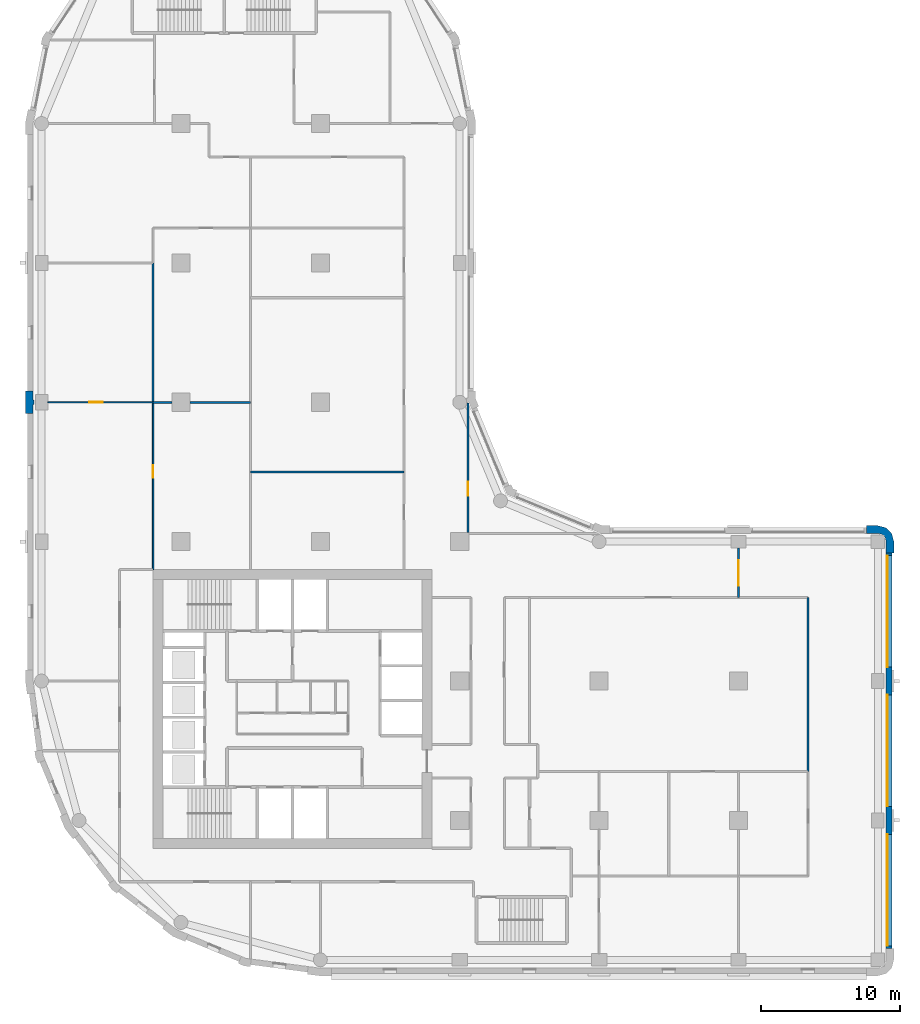
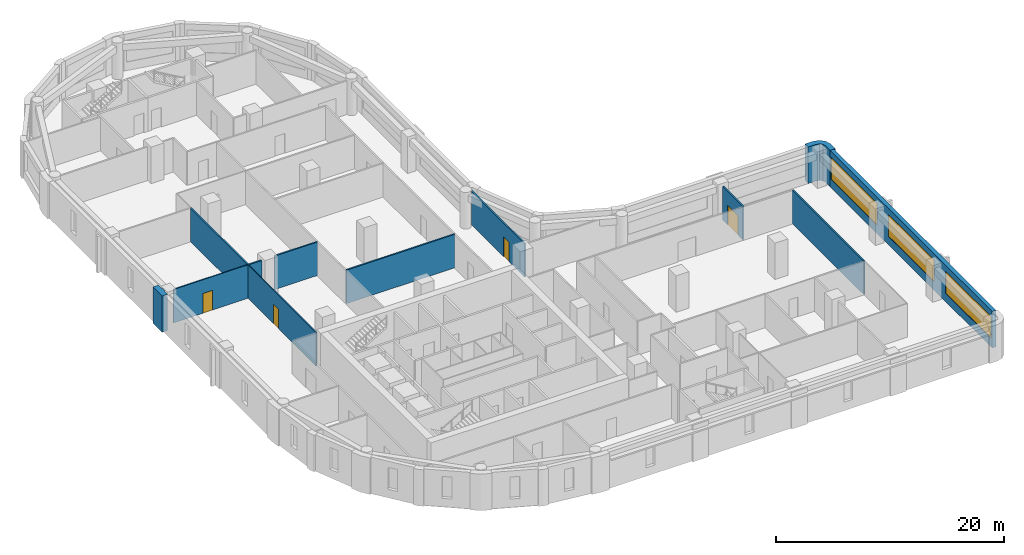
# One storey, part 5 of 10: 12 walls, 4 doors, 3 windows, 7 openings.
"""IFC4 building model written with IfcOpenShell, lengths in metres."""

from ifc_helpers import new_model, si_unit, direction, frame, frame_2d, origin, place, context, subcontext, project, spatial, polyline, rectangle, outline, extrude, material, layer, layer_set, type_object, element, fill, save


model = new_model("IFC4")

# Units and contexts
model_context = context("Model", 3, precision=1e-05, world=origin(), true_north=direction((0.0, 1.0)))
body_context = subcontext(model_context, "Body", "Model", "MODEL_VIEW")
ifc_project = project(units=[si_unit("LENGTHUNIT", "METRE"), si_unit("AREAUNIT", "SQUARE_METRE"), si_unit("VOLUMEUNIT", "CUBIC_METRE"), si_unit("PLANEANGLEUNIT", "RADIAN"), si_unit("MASSUNIT", "GRAM", prefix="KILO")], contexts=[model_context])

# Site, building, storey
site_placement = place(None, origin())
site = spatial("IfcSite", under=ifc_project, at=site_placement, CompositionType="ELEMENT")
building_placement = place(site_placement, origin())
building = spatial("IfcBuilding", under=site, at=building_placement, Name="Qaws Garden Tower", CompositionType="ELEMENT")
storey_placement = place(building_placement, frame((0.0, 0.0, 205.800048828125)))
storey = spatial("IfcBuildingStorey", under=building, at=storey_placement, Name="L50", CompositionType="ELEMENT", Elevation=205.800048828125)

# Wall
ifc_material_1 = material(Name="Buff clay facing brick masonry", Category="masonry")
ifc_layer_1 = layer(ifc_material_1, 0.550048828125)
ifc_layer_set_1 = layer_set([ifc_layer_1], Name="Buff clay facing brick masonry")
wall_type_1 = type_object("IfcWallType", Name="Buff brick corner pier 550 x 2400", PredefinedType="SOLIDWALL", material=ifc_layer_set_1)
placement = place(storey_placement, origin())
element("IfcWall", 1, at=placement, inside=storey, type_object=wall_type_1, Name="E-L50-pier-07", PredefinedType="SOLIDWALL", context=body_context, shape_type="SweptSolid", body=[
    extrude(outline(polyline([(61.0, 29.199951171875), (61.14990234375, 29.199951171875), (61.14990234375, 30.0), (60.995849609375, 30.574951171875), (60.574951171875, 30.995849609375), (60.0, 31.14990234375), (59.199951171875, 31.14990234375), (59.199951171875, 31.0), (59.199951171875, 30.60009765625), (60.0, 30.60009765625), (60.300048828125, 30.51953125), (60.51953125, 30.300048828125), (60.60009765625, 30.0), (60.60009765625, 29.199951171875), (61.0, 29.199951171875)])), origin(), (0.0, 0.0, 1.0), 3.89990234375),
])

# Wall, openings, windows
ifc_material_2 = material(Name="Buff clay facing brick masonry", Category="masonry")
ifc_layer_2 = layer(ifc_material_2, 0.39990234375)
ifc_layer_set_2 = layer_set([ifc_layer_2], Name="Buff clay facing brick masonry")
wall_type_2 = type_object("IfcWallType", Name="Buff brick infill wall 400", PredefinedType="SOLIDWALL", material=ifc_layer_set_2)
wall_2_placement = place(storey_placement, frame((60.800048828125, 0.800048828125, 0.0), z_axis=(0.0, 0.0, 1.0), x_axis=(0.0, 1.0, 0.0)))
wall_2 = element("IfcWall", 2, at=wall_2_placement, inside=storey, type_object=wall_type_2, Name="E-L50-infill-04", PredefinedType="SOLIDWALL", context=body_context, shape_type="SweptSolid", body=[
    extrude(rectangle(XDim=28.39990234375, YDim=0.39990234375, at=frame_2d((14.199951171875, 0.0))), origin(), (0.0, 0.0, 1.0), 3.89990234375),
])
opening_1_placement = place(wall_2_placement, frame((0.199951171875, 0.0, 0.89990234375)))
opening_1 = element("IfcOpeningElement", 3, at=opening_1_placement, cuts=wall_2, Name="Opening W01", PredefinedType="OPENING", context=body_context, shape_type="SweptSolid", body=[
    extrude(rectangle(XDim=8.0, YDim=2.35009765625, at=frame_2d((4.0, 1.175048828125))), frame((0.0, 0.2099609375, 0.0), z_axis=(0.0, -1.0, 0.0), x_axis=(1.0, 0.0, 0.0)), (0.0, 0.0, 1.0), 0.419921875),
])
opening_2_placement = place(wall_2_placement, frame((10.199951171875, 0.0, 0.89990234375)))
opening_2 = element("IfcOpeningElement", 4, at=opening_2_placement, cuts=wall_2, Name="Opening W01", PredefinedType="OPENING", context=body_context, shape_type="SweptSolid", body=[
    extrude(rectangle(XDim=8.0, YDim=2.35009765625, at=frame_2d((4.0, 1.175048828125))), frame((0.0, 0.2099609375, 0.0), z_axis=(0.0, -1.0, 0.0), x_axis=(1.0, 0.0, 0.0)), (0.0, 0.0, 1.0), 0.419921875),
])
opening_3_placement = place(wall_2_placement, frame((20.199951171875, 0.0, 0.89990234375)))
opening_3 = element("IfcOpeningElement", 5, at=opening_3_placement, cuts=wall_2, Name="Opening W01", PredefinedType="OPENING", context=body_context, shape_type="SweptSolid", body=[
    extrude(rectangle(XDim=8.0, YDim=2.35009765625, at=frame_2d((4.0, 1.175048828125))), frame((0.0, 0.2099609375, 0.0), z_axis=(0.0, -1.0, 0.0), x_axis=(1.0, 0.0, 0.0)), (0.0, 0.0, 1.0), 0.419921875),
])
ifc_material_3 = material(Name="Aluminium framed window, clear glazing", Category="aluminium")
window_type = type_object("IfcWindowType", Name="Ribbon window 8000 x 2350", PartitioningType="DOUBLE_PANEL_VERTICAL", PredefinedType="WINDOW", material=ifc_material_3)
window_1_placement = place(opening_1_placement, origin())
window_1 = element("IfcWindow", 6, at=window_1_placement, inside=storey, type_object=window_type, Name="E-L50-window-04-0", OverallHeight=2.35009765625, OverallWidth=8.0, PartitioningType="SINGLE_PANEL", PredefinedType="WINDOW", context=body_context, shape_type="SweptSolid", body=[
    extrude(rectangle(XDim=8.0, YDim=2.35009765625, at=frame_2d((4.0, 1.175048828125))), frame((0.0, 0.159912109375, 0.0), z_axis=(0.0, -1.0, 0.0), x_axis=(1.0, 0.0, 0.0)), (0.0, 0.0, 1.0), 0.06005859375),
])
fill(opening_1, window_1)
window_2_placement = place(opening_2_placement, origin())
window_2 = element("IfcWindow", 7, at=window_2_placement, inside=storey, type_object=window_type, Name="E-L50-window-05-0", OverallHeight=2.35009765625, OverallWidth=8.0, PartitioningType="SINGLE_PANEL", PredefinedType="WINDOW", context=body_context, shape_type="SweptSolid", body=[
    extrude(rectangle(XDim=8.0, YDim=2.35009765625, at=frame_2d((4.0, 1.175048828125))), frame((0.0, 0.159912109375, 0.0), z_axis=(0.0, -1.0, 0.0), x_axis=(1.0, 0.0, 0.0)), (0.0, 0.0, 1.0), 0.06005859375),
])
fill(opening_2, window_2)
window_3_placement = place(opening_3_placement, origin())
window_3 = element("IfcWindow", 8, at=window_3_placement, inside=storey, type_object=window_type, Name="E-L50-window-06-0", OverallHeight=2.35009765625, OverallWidth=8.0, PartitioningType="SINGLE_PANEL", PredefinedType="WINDOW", context=body_context, shape_type="SweptSolid", body=[
    extrude(rectangle(XDim=8.0, YDim=2.35009765625, at=frame_2d((4.0, 1.175048828125))), frame((0.0, 0.159912109375, 0.0), z_axis=(0.0, -1.0, 0.0), x_axis=(1.0, 0.0, 0.0)), (0.0, 0.0, 1.0), 0.06005859375),
])
fill(opening_3, window_3)

# Wall
ifc_material_4 = material(Name="Buff clay facing brick masonry", Category="masonry")
ifc_layer_3 = layer(ifc_material_4, 0.550048828125)
ifc_layer_set_3 = layer_set([ifc_layer_3], Name="Buff clay facing brick masonry")
wall_type_3 = type_object("IfcWallType", Name="Buff brick pier 550 x 1600", PredefinedType="SOLIDWALL", material=ifc_layer_set_3)
element("IfcWall", 9, at=placement, inside=storey, type_object=wall_type_3, Name="E-L50-pier-23", PredefinedType="SOLIDWALL", context=body_context, shape_type="SweptSolid", body=[
    extrude(outline(polyline([(-0.60009765625, 39.199951171875), (-0.60009765625, 39.85009765625), (-0.550048828125, 39.85009765625), (-0.550048828125, 40.14990234375), (-0.60009765625, 40.14990234375), (-0.60009765625, 40.800048828125), (-1.0, 40.800048828125), (-1.14990234375, 40.800048828125), (-1.14990234375, 40.0), (-1.14990234375, 39.199951171875), (-1.0, 39.199951171875), (-0.60009765625, 39.199951171875)])), origin(), (0.0, 0.0, 1.0), 3.89990234375),
])

# Wall, opening, door
ifc_material_5 = material(Name="Gypsum board partition")
ifc_layer_4 = layer(ifc_material_5, 0.10009765625)
ifc_layer_set_4 = layer_set([ifc_layer_4], Name="Gypsum board partition")
wall_type_4 = type_object("IfcWallType", Name="PARTITION 100", PredefinedType="PARTITIONING", material=ifc_layer_set_4)
wall_4_placement = place(storey_placement, frame((8.0, 28.0, 0.0), z_axis=(0.0, 0.0, 1.0), x_axis=(0.0, 1.0, 0.0)))
wall_4 = element("IfcWall", 10, at=wall_4_placement, inside=storey, type_object=wall_type_4, Name="O-L50-wall-001", PredefinedType="PARTITIONING", context=body_context, shape_type="SweptSolid", body=[
    extrude(rectangle(XDim=12.0, YDim=0.10009765625, at=frame_2d((6.0, 0.0))), origin(), (0.0, 0.0, 1.0), 3.579833984375),
])
opening_4_placement = place(wall_4_placement, frame((6.60009765625, 0.0, 0.0)))
opening_4 = element("IfcOpeningElement", 11, at=opening_4_placement, cuts=wall_4, Name="Opening B726", PredefinedType="OPENING", context=body_context, shape_type="SweptSolid", body=[
    extrude(rectangle(XDim=0.89990234375, YDim=2.10009765625, at=frame_2d((0.449951171875, 1.050048828125))), frame((0.0, 0.06005859375, 0.0), z_axis=(0.0, -1.0, 0.0), x_axis=(1.0, 0.0, 0.0)), (0.0, 0.0, 1.0), 0.1201171875),
])
ifc_material_6 = material(Name="Timber door leaf", Category="wood")
door_type_1 = type_object("IfcDoorType", Name="OFFICE DOOR 900 X 2100", OperationType="SINGLE_SWING_LEFT", PredefinedType="DOOR", material=ifc_material_6)
door_1_placement = place(opening_4_placement, frame((0.89990234375, 0.0, 0.0), z_axis=(0.0, 0.0, 1.0), x_axis=(-1.0, 0.0, 0.0)))
door_1 = element("IfcDoor", 12, at=door_1_placement, inside=storey, type_object=door_type_1, Name="O-L50-door-026", OperationType="SINGLE_SWING_RIGHT", OverallHeight=2.10009765625, OverallWidth=0.89990234375, PredefinedType="DOOR", context=body_context, shape_type="SweptSolid", body=[
    extrude(rectangle(XDim=0.89990234375, YDim=2.10009765625, at=frame_2d((0.449951171875, 1.050048828125))), frame((0.0, 0.02490234375, 0.0), z_axis=(0.0, -1.0, 0.0), x_axis=(1.0, 0.0, 0.0)), (0.0, 0.0, 1.0), 0.050048828125),
])
fill(opening_4, door_1)

wall_5_placement = place(storey_placement, frame((0.449951171875, 40.0, 0.0), z_axis=(0.0, 0.0, 1.0), x_axis=(1.0, 0.0, 0.0)))
wall_5 = element("IfcWall", 13, at=wall_5_placement, inside=storey, type_object=wall_type_4, Name="O-L50-wall-008", PredefinedType="PARTITIONING", context=body_context, shape_type="SweptSolid", body=[
    extrude(rectangle(XDim=7.550048828125, YDim=0.10009765625, at=frame_2d((3.77490234375, 0.0))), origin(), (0.0, 0.0, 1.0), 3.579833984375),
])
opening_5_placement = place(wall_5_placement, frame((2.97509765625, 0.0, 0.0)))
opening_5 = element("IfcOpeningElement", 14, at=opening_5_placement, cuts=wall_5, Name="Opening B728", PredefinedType="OPENING", context=body_context, shape_type="SweptSolid", body=[
    extrude(rectangle(XDim=0.949951171875, YDim=2.10009765625, at=frame_2d((0.47509765625, 1.050048828125))), frame((0.0, 0.06005859375, 0.0), z_axis=(0.0, -1.0, 0.0), x_axis=(1.0, 0.0, 0.0)), (0.0, 0.0, 1.0), 0.1201171875),
])
ifc_material_7 = material(Name="Timber and glass door leaf", Category="wood")
door_type_2 = type_object("IfcDoorType", Name="GLAZED DOOR 950 X 2100", OperationType="SINGLE_SWING_LEFT", PredefinedType="DOOR", material=ifc_material_7)
door_2_placement = place(opening_5_placement, origin())
door_2 = element("IfcDoor", 15, at=door_2_placement, inside=storey, type_object=door_type_2, Name="O-L50-door-028", OperationType="SINGLE_SWING_RIGHT", OverallHeight=2.10009765625, OverallWidth=0.949951171875, PredefinedType="DOOR", context=body_context, shape_type="SweptSolid", body=[
    extrude(rectangle(XDim=0.949951171875, YDim=2.10009765625, at=frame_2d((0.47509765625, 1.050048828125))), frame((0.0, 0.02490234375, 0.0), z_axis=(0.0, -1.0, 0.0), x_axis=(1.0, 0.0, 0.0)), (0.0, 0.0, 1.0), 0.050048828125),
])
fill(opening_5, door_2)

# Wall
ifc_material_8 = material(Name="Gypsum board partition")
ifc_layer_5 = layer(ifc_material_8, 0.14990234375)
ifc_layer_set_5 = layer_set([ifc_layer_5], Name="Gypsum board partition")
wall_type_5 = type_object("IfcWallType", Name="PARTITION 150 EI 60", PredefinedType="PARTITIONING", material=ifc_layer_set_5)
wall_6_placement = place(storey_placement, frame((8.0, 40.0, 0.0), z_axis=(0.0, 0.0, 1.0), x_axis=(0.0, 1.0, 0.0)))
element("IfcWall", 16, at=wall_6_placement, inside=storey, type_object=wall_type_5, Name="O-L50-wall-011", PredefinedType="PARTITIONING", context=body_context, shape_type="SweptSolid", body=[
    extrude(rectangle(XDim=10.0, YDim=0.14990234375, at=frame_2d((5.0, 0.0))), origin(), (0.0, 0.0, 1.0), 3.579833984375),
])

# Wall, opening, door
wall_7_placement = place(storey_placement, frame((30.60009765625, 30.64990234375, 0.0), z_axis=(0.0, 0.0, 1.0), x_axis=(0.0, 1.0, 0.0)))
wall_7 = element("IfcWall", 17, at=wall_7_placement, inside=storey, type_object=wall_type_5, Name="O-L50-wall-020", PredefinedType="PARTITIONING", context=body_context, shape_type="SweptSolid", body=[
    extrude(rectangle(XDim=9.288330078125, YDim=0.14990234375, at=frame_2d((4.64404296875, 0.0))), origin(), (0.0, 0.0, 1.0), 3.579833984375),
])
opening_6_placement = place(wall_7_placement, frame((2.64990234375, 0.0, 0.0)))
opening_6 = element("IfcOpeningElement", 18, at=opening_6_placement, cuts=wall_7, Name="Opening B715", PredefinedType="OPENING", context=body_context, shape_type="SweptSolid", body=[
    extrude(rectangle(XDim=1.0, YDim=2.10009765625, at=frame_2d((0.5, 1.050048828125))), frame((0.0, 0.0849609375, 0.0), z_axis=(0.0, -1.0, 0.0), x_axis=(1.0, 0.0, 0.0)), (0.0, 0.0, 1.0), 0.169921875),
])
ifc_material_9 = material(Name="Timber door leaf", Category="wood")
door_type_3 = type_object("IfcDoorType", Name="TENANCY ENTRANCE DOOR 1000 X 2100", OperationType="SINGLE_SWING_LEFT", PredefinedType="DOOR", material=ifc_material_9)
door_3_placement = place(opening_6_placement, frame((1.0, 0.0, 0.0), z_axis=(0.0, 0.0, 1.0), x_axis=(-1.0, 0.0, 0.0)))
door_3 = element("IfcDoor", 19, at=door_3_placement, inside=storey, type_object=door_type_3, Name="O-L50-door-015", OperationType="SINGLE_SWING_LEFT", OverallHeight=2.10009765625, OverallWidth=1.0, PredefinedType="DOOR", context=body_context, shape_type="SweptSolid", body=[
    extrude(rectangle(XDim=1.0, YDim=2.10009765625, at=frame_2d((0.5, 1.050048828125))), frame((0.0, 0.02490234375, 0.0), z_axis=(0.0, -1.0, 0.0), x_axis=(1.0, 0.0, 0.0)), (0.0, 0.0, 1.0), 0.050048828125),
])
fill(opening_6, door_3)

wall_8_placement = place(storey_placement, frame((50.0, 26.0, 0.0), z_axis=(0.0, 0.0, 1.0), x_axis=(0.0, 1.0, 0.0)))
wall_8 = element("IfcWall", 20, at=wall_8_placement, inside=storey, type_object=wall_type_5, Name="O-L50-wall-032", PredefinedType="PARTITIONING", context=body_context, shape_type="SweptSolid", body=[
    extrude(rectangle(XDim=3.550048828125, YDim=0.14990234375, at=frame_2d((1.77490234375, 0.0))), origin(), (0.0, 0.0, 1.0), 3.579833984375),
])
opening_7_placement = place(wall_8_placement, frame((0.85009765625, 0.0, 0.0)))
opening_7 = element("IfcOpeningElement", 21, at=opening_7_placement, cuts=wall_8, Name="Opening B704", PredefinedType="OPENING", context=body_context, shape_type="SweptSolid", body=[
    extrude(rectangle(XDim=1.800048828125, YDim=2.10009765625, at=frame_2d((0.89990234375, 1.050048828125))), frame((0.0, 0.0849609375, 0.0), z_axis=(0.0, -1.0, 0.0), x_axis=(1.0, 0.0, 0.0)), (0.0, 0.0, 1.0), 0.169921875),
])
ifc_material_10 = material(Name="Timber door leaf", Category="wood")
door_type_4 = type_object("IfcDoorType", Name="DOUBLE DOOR 1800 X 2100", OperationType="DOUBLE_DOOR_SINGLE_SWING", PredefinedType="DOOR", material=ifc_material_10)
door_4_placement = place(opening_7_placement, frame((1.800048828125, 0.0, 0.0), z_axis=(0.0, 0.0, 1.0), x_axis=(-1.0, 0.0, 0.0)))
door_4 = element("IfcDoor", 22, at=door_4_placement, inside=storey, type_object=door_type_4, Name="O-L50-door-004", OperationType="DOUBLE_DOOR_SINGLE_SWING", OverallHeight=2.10009765625, OverallWidth=1.800048828125, PredefinedType="DOOR", context=body_context, shape_type="SweptSolid", body=[
    extrude(rectangle(XDim=1.800048828125, YDim=2.10009765625, at=frame_2d((0.89990234375, 1.050048828125))), frame((0.0, 0.02490234375, 0.0), z_axis=(0.0, -1.0, 0.0), x_axis=(1.0, 0.0, 0.0)), (0.0, 0.0, 1.0), 0.050048828125),
])
fill(opening_7, door_4)

# Walls
wall_9_placement = place(storey_placement, frame((55.0, 13.5, 0.0), z_axis=(0.0, 0.0, 1.0), x_axis=(0.0, 1.0, 0.0)))
element("IfcWall", 23, at=wall_9_placement, inside=storey, type_object=wall_type_5, Name="O-L50-wall-033", PredefinedType="PARTITIONING", context=body_context, shape_type="SweptSolid", body=[
    extrude(rectangle(XDim=12.5, YDim=0.14990234375, at=frame_2d((6.25, 0.0))), origin(), (0.0, 0.0, 1.0), 3.579833984375),
])
wall_10_placement = place(storey_placement, frame((15.0, 35.0, 0.0), z_axis=(0.0, 0.0, 1.0), x_axis=(1.0, 0.0, 0.0)))
element("IfcWall", 24, at=wall_10_placement, inside=storey, type_object=wall_type_5, Name="O-L50-wall-050", PredefinedType="PARTITIONING", context=body_context, shape_type="SweptSolid", body=[
    extrude(rectangle(XDim=11.0, YDim=0.14990234375, at=frame_2d((5.5, 0.0))), origin(), (0.0, 0.0, 1.0), 3.579833984375),
])
wall_11_placement = place(storey_placement, frame((8.0, 40.0, 0.0), z_axis=(0.0, 0.0, 1.0), x_axis=(1.0, 0.0, 0.0)))
element("IfcWall", 25, at=wall_11_placement, inside=storey, type_object=wall_type_5, Name="O-L50-wall-051", PredefinedType="PARTITIONING", context=body_context, shape_type="SweptSolid", body=[
    extrude(rectangle(XDim=1.35009765625, YDim=0.14990234375, at=frame_2d((0.675048828125, 0.0))), origin(), (0.0, 0.0, 1.0), 3.579833984375),
])
wall_12_placement = place(storey_placement, frame((10.64990234375, 40.0, 0.0), z_axis=(0.0, 0.0, 1.0), x_axis=(1.0, 0.0, 0.0)))
element("IfcWall", 26, at=wall_12_placement, inside=storey, type_object=wall_type_5, Name="O-L50-wall-052", PredefinedType="PARTITIONING", context=body_context, shape_type="SweptSolid", body=[
    extrude(rectangle(XDim=4.35009765625, YDim=0.14990234375, at=frame_2d((2.175048828125, 0.0))), origin(), (0.0, 0.0, 1.0), 3.579833984375),
])

save(model, "model.ifc")
